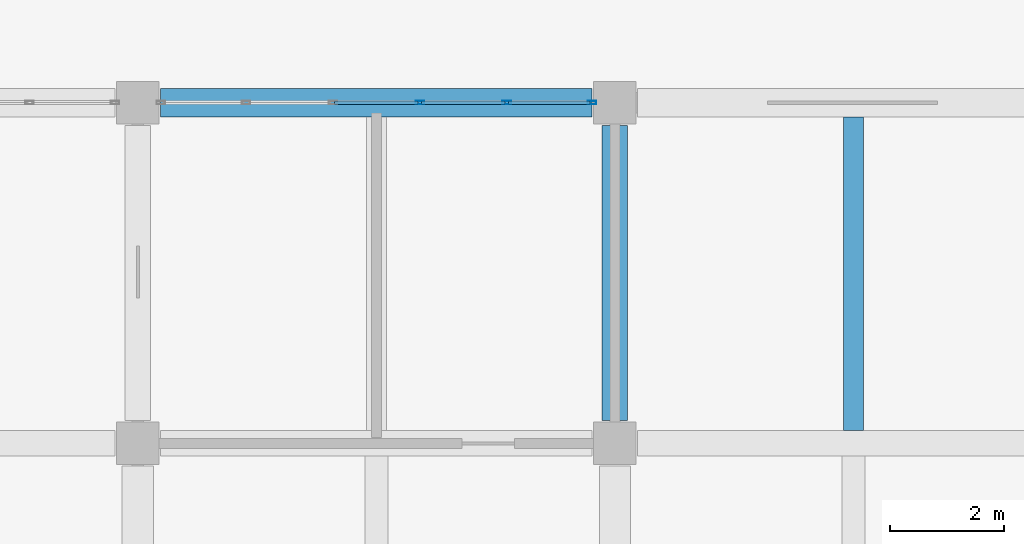
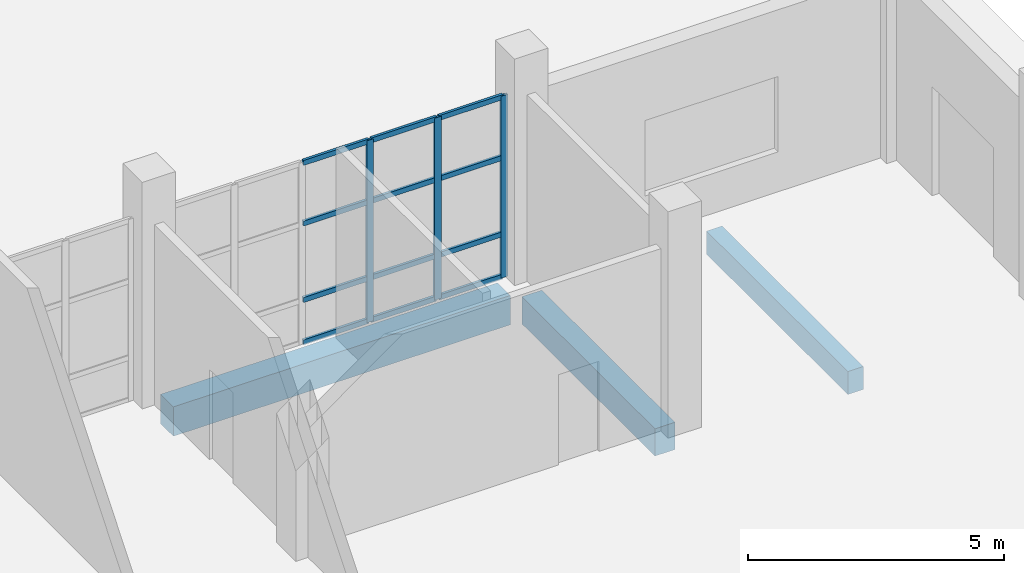
# One storey, part 44 of 78: 15 members, 3 beams, 1 element without a shape of its own.
"""IFC4 building model written with IfcOpenShell, lengths in metres."""

from ifc_helpers import new_model, si_unit, direction, frame, origin, origin_2d, place, context, subcontext, project, spatial, rectangle, hollow_rectangle, extrude, material, material_profile, profile_set, type_object, element, aggregate, save


model = new_model("IFC4")

# Units and contexts
model_context = context("Model", 3, precision=1e-05, world=origin(), true_north=direction((0.0, 1.0)))
body_context = subcontext(model_context, "Body", "Model", "MODEL_VIEW")
ifc_project = project(units=[si_unit("LENGTHUNIT", "METRE"), si_unit("AREAUNIT", "SQUARE_METRE"), si_unit("VOLUMEUNIT", "CUBIC_METRE"), si_unit("PLANEANGLEUNIT", "RADIAN"), si_unit("MASSUNIT", "GRAM", prefix="KILO")], contexts=[model_context])

# Site, building, storey
site_placement = place(None, origin())
site = spatial("IfcSite", under=ifc_project, at=site_placement, CompositionType="ELEMENT")
building_placement = place(site_placement, origin())
building = spatial("IfcBuilding", under=site, at=building_placement, Name="Pellamere Symphony Hall", CompositionType="ELEMENT")
storey_placement = place(building_placement, origin())
storey = spatial("IfcBuildingStorey", under=building, at=storey_placement, Name="L00", CompositionType="ELEMENT", Elevation=0.0)

# Curtain wall, members
ifc_material_1 = material(Name="Thermally Broken Anodised Aluminium 6063-T6 Curtain Wall", Category="aluminium")
curtain_wall_type = type_object("IfcCurtainWallType", Name="Curtain Wall CW-05 (Artists Wing North Studio Ribbon Curtain Wall)", PredefinedType="NOTDEFINED", material=ifc_material_1)
curtain_wall_placement = place(storey_placement, origin())
curtain_wall = element("IfcCurtainWall", 1, at=curtain_wall_placement, inside=storey, type_object=curtain_wall_type, Name="Artists Wing North Studio Curtain Wall (L00 Bay 2)", PredefinedType="NOTDEFINED")
ifc_material_2 = material(Name="Anodised Architectural Aluminium 6063-T6", Category="aluminium")
ifc_material_profile_1 = material_profile(ifc_material_2, hollow_rectangle(XDim=0.06005859375, YDim=0.14990234375, WallThickness=0.00390625, at=origin_2d()), Name="ALU-M60X150X4")
ifc_profile_set_1 = profile_set([ifc_material_profile_1], Name="Anodised Architectural Aluminium 6063-T6")
member_type_1 = type_object("IfcMemberType", Name="Curtain Wall Mullion ML-03 ALU-M60X150X4", PredefinedType="MULLION", material=ifc_profile_set_1)
member_1_placement = place(storey_placement, frame((160.965087890625, 99.60009765625, 0.0), z_axis=(0.0, 0.0, 1.0), x_axis=(0.0, 1.0, 0.0)))
member_1 = element("IfcMember", 2, at=member_1_placement, type_object=member_type_1, Name="CW5-125 crystal mullion 4", PredefinedType="MULLION", context=body_context, shape_type="SweptSolid", body=[
    extrude(hollow_rectangle(XDim=0.06005859375, YDim=0.14990234375, WallThickness=0.00390625, at=origin_2d()), origin(), (0.0, 0.0, 1.0), 4.340087890625),
])
member_2_placement = place(storey_placement, frame((162.4951171875, 99.60009765625, 0.0), z_axis=(0.0, 0.0, 1.0), x_axis=(0.0, 1.0, 0.0)))
member_2 = element("IfcMember", 3, at=member_2_placement, type_object=member_type_1, Name="CW5-125 crystal mullion 5", PredefinedType="MULLION", context=body_context, shape_type="SweptSolid", body=[
    extrude(hollow_rectangle(XDim=0.06005859375, YDim=0.14990234375, WallThickness=0.00390625, at=origin_2d()), origin(), (0.0, 0.0, 1.0), 4.340087890625),
])
member_3_placement = place(storey_placement, frame((163.9951171875, 99.60009765625, 0.0), z_axis=(0.0, 0.0, 1.0), x_axis=(0.0, 1.0, 0.0)))
member_3 = element("IfcMember", 4, at=member_3_placement, type_object=member_type_1, Name="CW5-125 crystal mullion 6", PredefinedType="MULLION", context=body_context, shape_type="SweptSolid", body=[
    extrude(hollow_rectangle(XDim=0.06005859375, YDim=0.14990234375, WallThickness=0.00390625, at=origin_2d()), origin(), (0.0, 0.0, 1.0), 4.340087890625),
])
ifc_material_profile_2 = material_profile(ifc_material_2, hollow_rectangle(XDim=0.06005859375, YDim=0.1201171875, WallThickness=0.00390625, at=origin_2d()), Name="ALU-T60X120X4")
ifc_profile_set_2 = profile_set([ifc_material_profile_2], Name="Anodised Architectural Aluminium 6063-T6")
member_type_2 = type_object("IfcMemberType", Name="Curtain Wall Transom TR-03 ALU-T60X120X4", PredefinedType="USERDEFINED", material=ifc_profile_set_2)
member_4_placement = place(storey_placement, frame((159.465087890625, 99.60009765625, 0.030029296875), z_axis=(1.0, 0.0, 0.0), x_axis=(0.0, 1.0, 0.0)))
member_4 = element("IfcMember", 5, at=member_4_placement, type_object=member_type_2, Name="CW5-125 crystal transom 3.1", ObjectType="TRANSOM", PredefinedType="USERDEFINED", context=body_context, shape_type="SweptSolid", body=[
    extrude(hollow_rectangle(XDim=0.06005859375, YDim=0.1201171875, WallThickness=0.00390625, at=origin_2d()), origin(), (0.0, 0.0, 1.0), 1.469970703125),
])
member_5_placement = place(storey_placement, frame((159.465087890625, 99.60009765625, 1.04150390625), z_axis=(1.0, 0.0, 0.0), x_axis=(0.0, 1.0, 0.0)))
member_5 = element("IfcMember", 6, at=member_5_placement, type_object=member_type_2, Name="CW5-125 crystal transom 3.2", ObjectType="TRANSOM", PredefinedType="USERDEFINED", context=body_context, shape_type="SweptSolid", body=[
    extrude(hollow_rectangle(XDim=0.06005859375, YDim=0.1201171875, WallThickness=0.00390625, at=origin_2d()), origin(), (0.0, 0.0, 1.0), 1.469970703125),
])
member_6_placement = place(storey_placement, frame((159.465087890625, 99.60009765625, 2.864501953125), z_axis=(1.0, 0.0, 0.0), x_axis=(0.0, 1.0, 0.0)))
member_6 = element("IfcMember", 7, at=member_6_placement, type_object=member_type_2, Name="CW5-125 crystal transom 3.3", ObjectType="TRANSOM", PredefinedType="USERDEFINED", context=body_context, shape_type="SweptSolid", body=[
    extrude(hollow_rectangle(XDim=0.06005859375, YDim=0.1201171875, WallThickness=0.00390625, at=origin_2d()), origin(), (0.0, 0.0, 1.0), 1.469970703125),
])
member_7_placement = place(storey_placement, frame((159.465087890625, 99.60009765625, 4.31005859375), z_axis=(1.0, 0.0, 0.0), x_axis=(0.0, 1.0, 0.0)))
member_7 = element("IfcMember", 8, at=member_7_placement, type_object=member_type_2, Name="CW5-125 crystal transom 3.4", ObjectType="TRANSOM", PredefinedType="USERDEFINED", context=body_context, shape_type="SweptSolid", body=[
    extrude(hollow_rectangle(XDim=0.06005859375, YDim=0.1201171875, WallThickness=0.00390625, at=origin_2d()), origin(), (0.0, 0.0, 1.0), 1.469970703125),
])
member_8_placement = place(storey_placement, frame((160.9951171875, 99.60009765625, 0.030029296875), z_axis=(1.0, 0.0, 0.0), x_axis=(0.0, 1.0, 0.0)))
member_8 = element("IfcMember", 9, at=member_8_placement, type_object=member_type_2, Name="CW5-125 crystal transom 4.1", ObjectType="TRANSOM", PredefinedType="USERDEFINED", context=body_context, shape_type="SweptSolid", body=[
    extrude(hollow_rectangle(XDim=0.06005859375, YDim=0.1201171875, WallThickness=0.00390625, at=origin_2d()), origin(), (0.0, 0.0, 1.0), 1.469970703125),
])
member_9_placement = place(storey_placement, frame((160.9951171875, 99.60009765625, 1.04150390625), z_axis=(1.0, 0.0, 0.0), x_axis=(0.0, 1.0, 0.0)))
member_9 = element("IfcMember", 10, at=member_9_placement, type_object=member_type_2, Name="CW5-125 crystal transom 4.2", ObjectType="TRANSOM", PredefinedType="USERDEFINED", context=body_context, shape_type="SweptSolid", body=[
    extrude(hollow_rectangle(XDim=0.06005859375, YDim=0.1201171875, WallThickness=0.00390625, at=origin_2d()), origin(), (0.0, 0.0, 1.0), 1.469970703125),
])
member_10_placement = place(storey_placement, frame((160.9951171875, 99.60009765625, 2.864501953125), z_axis=(1.0, 0.0, 0.0), x_axis=(0.0, 1.0, 0.0)))
member_10 = element("IfcMember", 11, at=member_10_placement, type_object=member_type_2, Name="CW5-125 crystal transom 4.3", ObjectType="TRANSOM", PredefinedType="USERDEFINED", context=body_context, shape_type="SweptSolid", body=[
    extrude(hollow_rectangle(XDim=0.06005859375, YDim=0.1201171875, WallThickness=0.00390625, at=origin_2d()), origin(), (0.0, 0.0, 1.0), 1.469970703125),
])
member_11_placement = place(storey_placement, frame((160.9951171875, 99.60009765625, 4.31005859375), z_axis=(1.0, 0.0, 0.0), x_axis=(0.0, 1.0, 0.0)))
member_11 = element("IfcMember", 12, at=member_11_placement, type_object=member_type_2, Name="CW5-125 crystal transom 4.4", ObjectType="TRANSOM", PredefinedType="USERDEFINED", context=body_context, shape_type="SweptSolid", body=[
    extrude(hollow_rectangle(XDim=0.06005859375, YDim=0.1201171875, WallThickness=0.00390625, at=origin_2d()), origin(), (0.0, 0.0, 1.0), 1.469970703125),
])
member_12_placement = place(storey_placement, frame((162.52490234375, 99.60009765625, 0.030029296875), z_axis=(1.0, 0.0, 0.0), x_axis=(0.0, 1.0, 0.0)))
member_12 = element("IfcMember", 13, at=member_12_placement, type_object=member_type_2, Name="CW5-125 crystal transom 5.1", ObjectType="TRANSOM", PredefinedType="USERDEFINED", context=body_context, shape_type="SweptSolid", body=[
    extrude(hollow_rectangle(XDim=0.06005859375, YDim=0.1201171875, WallThickness=0.00390625, at=origin_2d()), origin(), (0.0, 0.0, 1.0), 1.440185546875),
])
member_13_placement = place(storey_placement, frame((162.52490234375, 99.60009765625, 1.04150390625), z_axis=(1.0, 0.0, 0.0), x_axis=(0.0, 1.0, 0.0)))
member_13 = element("IfcMember", 14, at=member_13_placement, type_object=member_type_2, Name="CW5-125 crystal transom 5.2", ObjectType="TRANSOM", PredefinedType="USERDEFINED", context=body_context, shape_type="SweptSolid", body=[
    extrude(hollow_rectangle(XDim=0.06005859375, YDim=0.1201171875, WallThickness=0.00390625, at=origin_2d()), origin(), (0.0, 0.0, 1.0), 1.440185546875),
])
member_14_placement = place(storey_placement, frame((162.52490234375, 99.60009765625, 2.864501953125), z_axis=(1.0, 0.0, 0.0), x_axis=(0.0, 1.0, 0.0)))
member_14 = element("IfcMember", 15, at=member_14_placement, type_object=member_type_2, Name="CW5-125 crystal transom 5.3", ObjectType="TRANSOM", PredefinedType="USERDEFINED", context=body_context, shape_type="SweptSolid", body=[
    extrude(hollow_rectangle(XDim=0.06005859375, YDim=0.1201171875, WallThickness=0.00390625, at=origin_2d()), origin(), (0.0, 0.0, 1.0), 1.440185546875),
])
member_15_placement = place(storey_placement, frame((162.52490234375, 99.60009765625, 4.31005859375), z_axis=(1.0, 0.0, 0.0), x_axis=(0.0, 1.0, 0.0)))
member_15 = element("IfcMember", 16, at=member_15_placement, type_object=member_type_2, Name="CW5-125 crystal transom 5.4", ObjectType="TRANSOM", PredefinedType="USERDEFINED", context=body_context, shape_type="SweptSolid", body=[
    extrude(hollow_rectangle(XDim=0.06005859375, YDim=0.1201171875, WallThickness=0.00390625, at=origin_2d()), origin(), (0.0, 0.0, 1.0), 1.440185546875),
])
aggregate(curtain_wall, [member_1, member_2, member_3, member_4, member_5, member_6, member_7, member_8, member_9, member_10, member_11, member_12, member_13, member_14, member_15])

# Beams
ifc_material_3 = material(Name="Concrete 40 MPa", Category="concrete")
ifc_material_profile_3 = material_profile(ifc_material_3, rectangle(XDim=0.5, YDim=0.699951171875, at=origin_2d()), Name="RC 500x700")
ifc_profile_set_3 = profile_set([ifc_material_profile_3], Name="Concrete 40 MPa")
beam_type_1 = type_object("IfcBeamType", Name="RC CB-07 500x700", PredefinedType="BEAM", material=ifc_profile_set_3)
beam_1_placement = place(storey_placement, frame((156.39990234375, 99.60009765625, -0.64990234375), z_axis=(1.0, 0.0, 0.0), x_axis=(0.0, 1.0, 0.0)))
element("IfcBeam", 17, at=beam_1_placement, inside=storey, type_object=beam_type_1, Name="Girder CB-07-X0181 (L00)", PredefinedType="BEAM", context=body_context, shape_type="SweptSolid", body=[
    extrude(rectangle(XDim=0.5, YDim=0.699951171875, at=origin_2d()), origin(), (0.0, 0.0, 1.0), 7.60009765625),
])
ifc_material_profile_4 = material_profile(ifc_material_3, rectangle(XDim=0.449951171875, YDim=0.64990234375, at=origin_2d()), Name="RC 450x650")
ifc_profile_set_4 = profile_set([ifc_material_profile_4], Name="Concrete 40 MPa")
beam_type_2 = type_object("IfcBeamType", Name="RC CB-08 450x650", PredefinedType="BEAM", material=ifc_profile_set_4)
beam_2_placement = place(storey_placement, frame((164.39990234375, 94.0, -0.625), z_axis=(0.0, 1.0, 0.0), x_axis=(-1.0, 0.0, 0.0)))
element("IfcBeam", 18, at=beam_2_placement, inside=storey, type_object=beam_type_2, Name="Girder CB-08-Y0378 (L00)", PredefinedType="BEAM", context=body_context, shape_type="SweptSolid", body=[
    extrude(rectangle(XDim=0.449951171875, YDim=0.64990234375, at=origin_2d()), origin(), (0.0, 0.0, 1.0), 5.199951171875),
])
ifc_material_4 = material(Name="Concrete 35 MPa", Category="concrete")
ifc_material_profile_5 = material_profile(ifc_material_4, rectangle(XDim=0.35009765625, YDim=0.550048828125, at=origin_2d()), Name="RC 350x550")
ifc_profile_set_5 = profile_set([ifc_material_profile_5], Name="Concrete 35 MPa")
beam_type_3 = type_object("IfcBeamType", Name="RC CB-10 350x550", PredefinedType="BEAM", material=ifc_profile_set_5)
beam_3_placement = place(storey_placement, frame((168.60009765625, 93.824951171875, -0.590087890625), z_axis=(0.0, 1.0, 0.0), x_axis=(-1.0, 0.0, 0.0)))
element("IfcBeam", 19, at=beam_3_placement, inside=storey, type_object=beam_type_3, Name="Secondary Floor Beam CB-10-M2012 (L00)", PredefinedType="BEAM", context=body_context, shape_type="SweptSolid", body=[
    extrude(rectangle(XDim=0.35009765625, YDim=0.550048828125, at=origin_2d()), origin(), (0.0, 0.0, 1.0), 5.525146484375),
])

save(model, "model.ifc")
